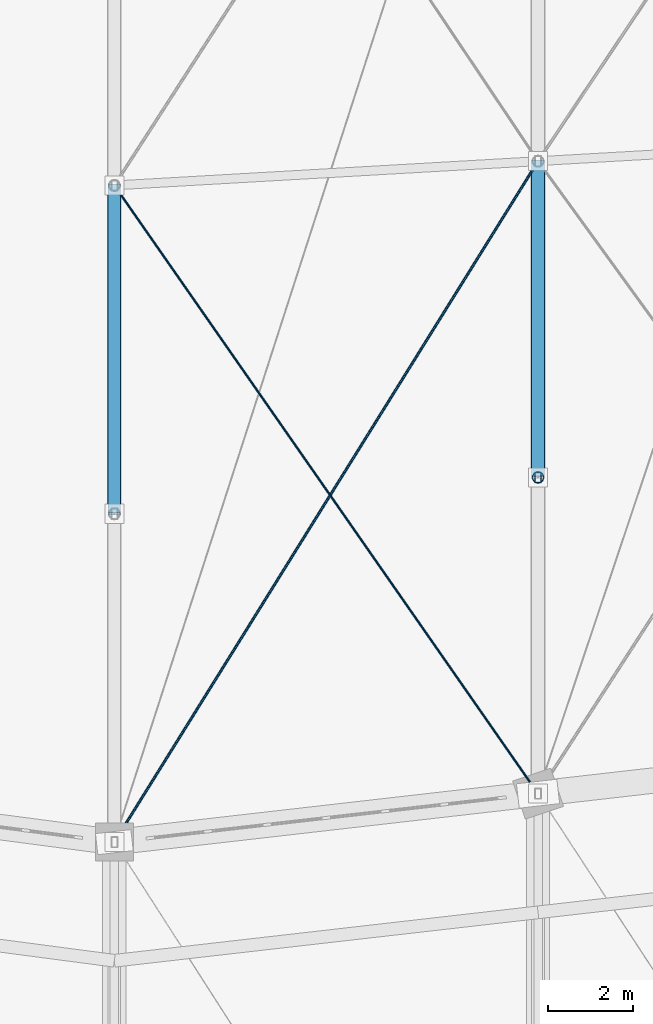
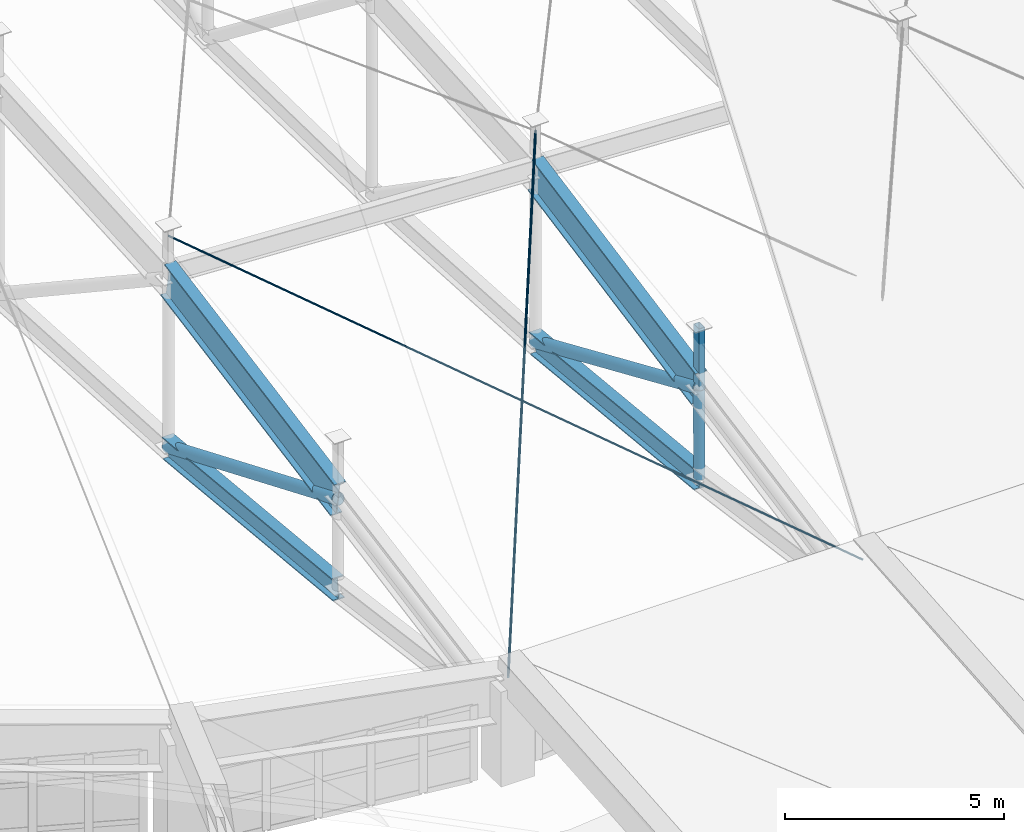
# One storey, part 12 of 68: 6 members, 4 beams.
"""IFC4 building model written with IfcOpenShell, lengths in metres."""

from ifc_helpers import new_model, si_unit, direction, frame, origin, origin_2d, place, context, subcontext, project, spatial, hollow_rectangle, circle, hollow_circle, i_section, extrude, material, material_profile, profile_set, type_object, element, save


model = new_model("IFC4")

# Units and contexts
model_context = context("Model", 3, precision=1e-05, world=origin(), true_north=direction((0.0, 1.0)))
body_context = subcontext(model_context, "Body", "Model", "MODEL_VIEW")
ifc_project = project(units=[si_unit("LENGTHUNIT", "METRE"), si_unit("AREAUNIT", "SQUARE_METRE"), si_unit("VOLUMEUNIT", "CUBIC_METRE"), si_unit("PLANEANGLEUNIT", "RADIAN"), si_unit("MASSUNIT", "GRAM", prefix="KILO")], contexts=[model_context])

# Site, building, storey
site_placement = place(None, origin())
site = spatial("IfcSite", under=ifc_project, at=site_placement, CompositionType="ELEMENT")
building_placement = place(site_placement, origin())
building = spatial("IfcBuilding", under=site, at=building_placement, Name="Sohan Crest Arena", CompositionType="ELEMENT")
storey_placement = place(building_placement, frame((0.0, 0.0, 27.0)))
storey = spatial("IfcBuildingStorey", under=building, at=storey_placement, Name="RF", CompositionType="ELEMENT", Elevation=27.0)

# Beams
ifc_material_1 = material(Name="Steel S355", Category="steel")
ifc_material_profile_1 = material_profile(ifc_material_1, i_section(OverallWidth=0.300048828125, OverallDepth=0.60009765625, WebThickness=0.015380859375, FlangeThickness=0.030029296875, at=origin_2d()), Name="HEB 600")
ifc_profile_set_1 = profile_set([ifc_material_profile_1], Name="Steel S355")
beam_type_1 = type_object("IfcBeamType", Name="STR-BM-B15", PredefinedType="BEAM", material=ifc_profile_set_1)
beam_1_placement = place(storey_placement, frame((98.0, 54.75, 0.410888671875), z_axis=(0.0, 0.995350013555, -0.09632419486), x_axis=(-1.0, 0.0, 0.0)))
element("IfcBeam", 1, at=beam_1_placement, inside=storey, type_object=beam_type_1, Name="Structural beam RAB-RF-3019", PredefinedType="BEAM", context=body_context, shape_type="SweptSolid", body=[
    extrude(i_section(OverallWidth=0.300048828125, OverallDepth=0.60009765625, WebThickness=0.015380859375, FlangeThickness=0.030029296875, at=origin_2d()), origin(), (0.0, 0.0, 1.0), 7.7861328125),
])
beam_2_placement = place(storey_placement, frame((108.0, 55.60693359375, -0.51708984375), z_axis=(0.0, 0.994991011349, -0.099964430352), x_axis=(-1.0, 0.0, 0.0)))
element("IfcBeam", 2, at=beam_2_placement, inside=storey, type_object=beam_type_1, Name="Structural beam RAB-RF-3035", PredefinedType="BEAM", context=body_context, shape_type="SweptSolid", body=[
    extrude(i_section(OverallWidth=0.300048828125, OverallDepth=0.60009765625, WebThickness=0.015380859375, FlangeThickness=0.030029296875, at=origin_2d()), origin(), (0.0, 0.0, 1.0), 7.502685546875),
])
ifc_material_profile_2 = material_profile(ifc_material_1, i_section(OverallWidth=0.300048828125, OverallDepth=1.0, WebThickness=0.01904296875, FlangeThickness=0.035888671875, at=origin_2d()), Name="HEB 1000")
ifc_profile_set_2 = profile_set([ifc_material_profile_2], Name="Steel S355")
beam_type_2 = type_object("IfcBeamType", Name="STR-BM-B19", PredefinedType="BEAM", material=ifc_profile_set_2)
beam_3_placement = place(storey_placement, frame((98.0, 54.75, 2.905029296875), z_axis=(0.0, 0.983079114162, 0.183181481863), x_axis=(-1.0, 0.0, 0.0)))
element("IfcBeam", 3, at=beam_3_placement, inside=storey, type_object=beam_type_2, Name="Structural beam RA-RF-3018", PredefinedType="BEAM", context=body_context, shape_type="SweptSolid", body=[
    extrude(i_section(OverallWidth=0.300048828125, OverallDepth=1.0, WebThickness=0.01904296875, FlangeThickness=0.035888671875, at=origin_2d()), origin(), (0.0, 0.0, 1.0), 7.88330078125),
])
beam_4_placement = place(storey_placement, frame((108.0, 55.60791015625, 1.97705078125), z_axis=(0.0, 0.981799944095, 0.189918060687), x_axis=(-1.0, 0.0, 0.0)))
element("IfcBeam", 4, at=beam_4_placement, inside=storey, type_object=beam_type_2, Name="Structural beam RA-RF-3034", PredefinedType="BEAM", context=body_context, shape_type="SweptSolid", body=[
    extrude(i_section(OverallWidth=0.300048828125, OverallDepth=1.0, WebThickness=0.01904296875, FlangeThickness=0.035888671875, at=origin_2d()), origin(), (0.0, 0.0, 1.0), 7.6025390625),
])

# Members
ifc_material_profile_3 = material_profile(ifc_material_1, hollow_circle(Radius=0.136474609375, WallThickness=0.012451171875, at=origin_2d()), Name="CHS 273x12.5")
ifc_profile_set_3 = profile_set([ifc_material_profile_3], Name="Steel S355")
member_type_1 = type_object("IfcMemberType", Name="STR-MEM-BR02", PredefinedType="BRACE", material=ifc_profile_set_3)
member_1_placement = place(storey_placement, frame((108.0, 55.60693359375, -0.51708984375), z_axis=(0.0, 0.000391542648, 0.999999923347), x_axis=(1.0, 0.0, 0.0)))
element("IfcMember", 5, at=member_1_placement, inside=storey, type_object=member_type_1, Name="Lenticular roof truss web strut TW-095", PredefinedType="BRACE", context=body_context, shape_type="SweptSolid", body=[
    extrude(hollow_circle(Radius=0.136474609375, WallThickness=0.012451171875, at=origin_2d()), origin(), (0.0, 0.0, 1.0), 2.494140625),
])
ifc_material_profile_4 = material_profile(ifc_material_1, hollow_circle(Radius=0.161865234375, WallThickness=0.012451171875, at=origin_2d()), Name="CHS 323.9x12.5")
ifc_profile_set_4 = profile_set([ifc_material_profile_4], Name="Steel S355")
member_type_2 = type_object("IfcMemberType", Name="STR-MEM-BR03", PredefinedType="BRACE", material=ifc_profile_set_4)
member_2_placement = place(storey_placement, frame((98.0, 62.5, -0.339111328125), z_axis=(0.0, -0.922442913954, 0.386133487923), x_axis=(1.0, 0.0, 0.0)))
element("IfcMember", 6, at=member_2_placement, inside=storey, type_object=member_type_2, Name="Lenticular roof truss web diagonal TD-072", PredefinedType="BRACE", context=body_context, shape_type="SweptSolid", body=[
    extrude(hollow_circle(Radius=0.161865234375, WallThickness=0.012451171875, at=origin_2d()), origin(), (0.0, 0.0, 1.0), 8.401611328125),
])
member_3_placement = place(storey_placement, frame((108.0, 63.072021484375, -1.26708984375), z_axis=(0.0, -0.917120601496, 0.398609837199), x_axis=(1.0, 0.0, 0.0)))
element("IfcMember", 7, at=member_3_placement, inside=storey, type_object=member_type_2, Name="Lenticular roof truss web diagonal TD-096", PredefinedType="BRACE", context=body_context, shape_type="SweptSolid", body=[
    extrude(hollow_circle(Radius=0.161865234375, WallThickness=0.012451171875, at=origin_2d()), origin(), (0.0, 0.0, 1.0), 8.138671875),
])
ifc_material_2 = material(Name="Steel S460", Category="steel")
ifc_material_profile_5 = material_profile(ifc_material_2, circle(Radius=0.031982421875, at=origin_2d()), Name="FLC D64")
ifc_profile_set_5 = profile_set([ifc_material_profile_5], Name="Steel S460")
member_type_3 = type_object("IfcMemberType", Name="STR-MEM-CB01", PredefinedType="USERDEFINED", material=ifc_profile_set_5)
member_4_placement = place(storey_placement, frame((98.0, 47.0, 2.64111328125), z_axis=(0.525478513723, 0.844550196213, 0.102991736039), x_axis=(-0.849065345961, 0.52828783659, 0.0)))
element("IfcMember", 8, at=member_4_placement, inside=storey, type_object=member_type_3, Name="Full-locked-coil roof cable CB-001", ObjectType="CABLE", PredefinedType="USERDEFINED", context=body_context, shape_type="SweptSolid", body=[
    extrude(circle(Radius=0.031982421875, at=origin_2d()), origin(), (0.0, 0.0, 1.0), 19.0302734375),
])
ifc_material_profile_6 = material_profile(ifc_material_2, circle(Radius=0.02587890625, at=origin_2d()), Name="FLC D52")
ifc_profile_set_6 = profile_set([ifc_material_profile_6], Name="Steel S460")
member_type_4 = type_object("IfcMemberType", Name="STR-MEM-CB02", PredefinedType="USERDEFINED", material=ifc_profile_set_6)
member_5_placement = place(storey_placement, frame((98.0, 62.5, 5.529052734375), z_axis=(0.558419947769, -0.801719810755, -0.21310210458), x_axis=(0.820568318735, 0.571548453141, 0.0)))
element("IfcMember", 9, at=member_5_placement, inside=storey, type_object=member_type_4, Name="Full-locked-coil roof cable CB-002", ObjectType="CABLE", PredefinedType="USERDEFINED", context=body_context, shape_type="SweptSolid", body=[
    extrude(circle(Radius=0.02587890625, at=origin_2d()), origin(), (0.0, 0.0, 1.0), 17.90771484375),
])
ifc_material_profile_7 = material_profile(ifc_material_1, hollow_rectangle(XDim=0.14990234375, YDim=0.25, WallThickness=0.010009765625, at=origin_2d()), Name="RHS 250x150x10")
ifc_profile_set_7 = profile_set([ifc_material_profile_7], Name="Steel S355")
member_type_5 = type_object("IfcMemberType", Name="STR-MEM-CH02", PredefinedType="CHORD", material=ifc_profile_set_7)
member_6_placement = place(storey_placement, frame((108.0, 55.60791015625, 1.97705078125), z_axis=(0.0, -0.000564493277, 0.999999840674), x_axis=(1.0, 0.0, 0.0)))
element("IfcMember", 10, at=member_6_placement, inside=storey, type_object=member_type_5, Name="Roof deck bearing saddle chord RSP-086", PredefinedType="CHORD", context=body_context, shape_type="SweptSolid", body=[
    extrude(hollow_rectangle(XDim=0.14990234375, YDim=0.25, WallThickness=0.010009765625, at=origin_2d()), origin(), (0.0, 0.0, 1.0), 1.72998046875),
])

save(model, "model.ifc")
